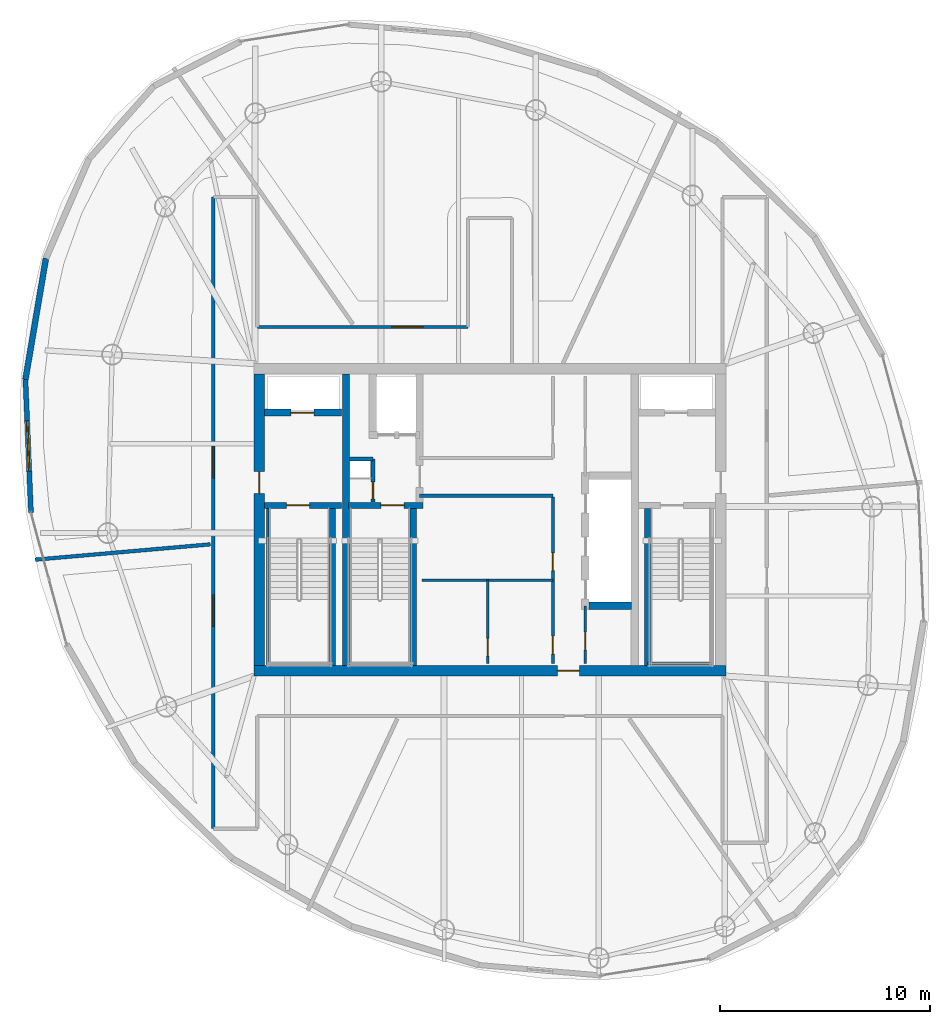
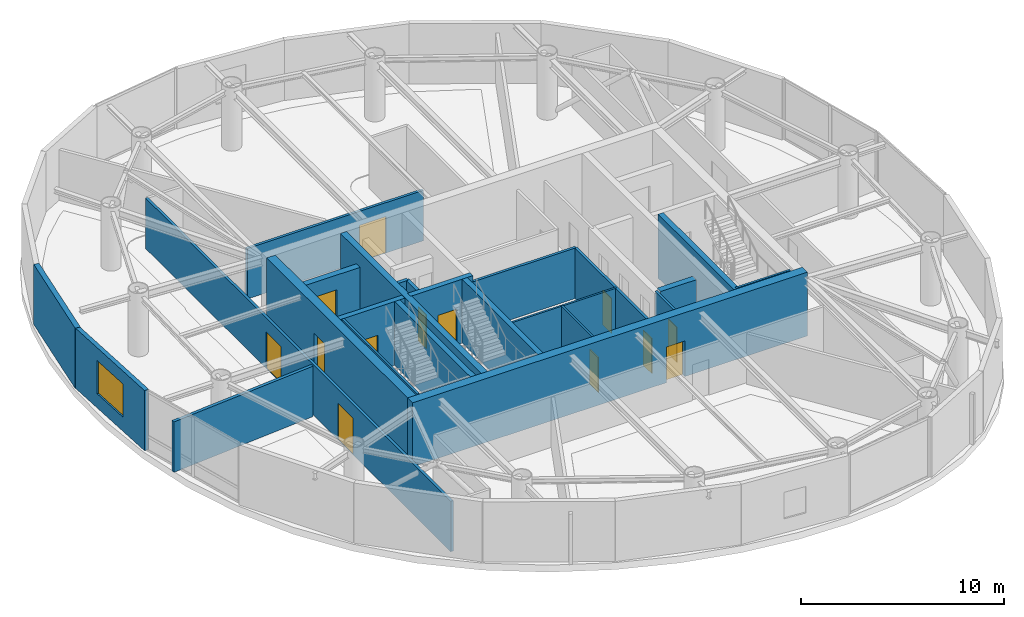
# One storey, part 14 of 20: 24 walls, 13 doors, 1 window, 14 openings.
"""IFC4 building model written with IfcOpenShell, lengths in metres."""

from ifc_helpers import new_model, si_unit, direction, frame, frame_2d, origin, place, context, subcontext, project, spatial, rectangle, extrude, material, layer, layer_set, type_object, element, fill, save


model = new_model("IFC4")

# Units and contexts
model_context = context("Model", 3, precision=1e-05, world=origin(), true_north=direction((0.0, 1.0)))
body_context = subcontext(model_context, "Body", "Model", "MODEL_VIEW")
ifc_project = project(units=[si_unit("LENGTHUNIT", "METRE"), si_unit("AREAUNIT", "SQUARE_METRE"), si_unit("VOLUMEUNIT", "CUBIC_METRE"), si_unit("PLANEANGLEUNIT", "RADIAN"), si_unit("MASSUNIT", "GRAM", prefix="KILO")], contexts=[model_context])

# Site, building, storey
site_placement = place(None, origin())
site = spatial("IfcSite", under=ifc_project, at=site_placement, CompositionType="ELEMENT")
building_placement = place(site_placement, origin())
building = spatial("IfcBuilding", under=site, at=building_placement, Name="Bramvorn Convention Spire", CompositionType="ELEMENT")
storey_placement = place(building_placement, frame((0.0, 0.0, 242.050048828125)))
storey = spatial("IfcBuildingStorey", under=building, at=storey_placement, Name="L61", CompositionType="ELEMENT", Elevation=242.050048828125)

# Wall, opening, door
ifc_material_1 = material(Name="Concrete C50/60", Category="concrete")
ifc_layer_1 = layer(ifc_material_1, 0.5)
ifc_layer_set_1 = layer_set([ifc_layer_1], Name="Concrete C50/60 - WL-CORE-500")
wall_type_1 = type_object("IfcWallType", Name="WL-CORE-500", PredefinedType="SHEAR", material=ifc_layer_set_1)
wall_1_placement = place(storey_placement, frame((26.75, 18.800048828125, 0.0), z_axis=(0.0, 0.0, 1.0), x_axis=(1.0, 0.0, 0.0)))
wall_1 = element("IfcWall", 1, at=wall_1_placement, inside=storey, type_object=wall_type_1, Name="L61 South RC core shear wall", PredefinedType="SHEAR", context=body_context, shape_type="SweptSolid", body=[
    extrude(rectangle(XDim=22.5, YDim=0.5, at=frame_2d((11.25, 0.0))), origin(), (0.0, 0.0, 1.0), 3.849853515625),
])
opening_1_placement = place(wall_1_placement, frame((14.469970703125, 0.0, 0.0)))
opening_1 = element("IfcOpeningElement", 2, at=opening_1_placement, cuts=wall_1, Name="Opening DL-105", PredefinedType="OPENING", context=body_context, shape_type="SweptSolid", body=[
    extrude(rectangle(XDim=1.050048828125, YDim=2.14990234375, at=frame_2d((0.52490234375, 1.074951171875))), frame((0.0, 0.260009765625, 0.0), z_axis=(0.0, -1.0, 0.0), x_axis=(1.0, 0.0, 0.0)), (0.0, 0.0, 1.0), 0.52001953125),
])
ifc_material_2 = material(Name="Smoke-Sealed Fire Lobby Timber-Core Door", Category="wood")
door_type_1 = type_object("IfcDoorType", Name="DR-LOBBY-1050", OperationType="NOTDEFINED", PredefinedType="DOOR", material=ifc_material_2)
door_1_placement = place(opening_1_placement, origin())
door_1 = element("IfcDoor", 3, at=door_1_placement, inside=storey, type_object=door_type_1, Name="L61 South Lift Lobby fire door", OperationType="SINGLE_SWING_RIGHT", OverallHeight=2.14990234375, OverallWidth=1.050048828125, PredefinedType="DOOR", context=body_context, shape_type="SweptSolid", body=[
    extrude(rectangle(XDim=1.050048828125, YDim=2.14990234375, at=frame_2d((0.52490234375, 1.074951171875))), frame((0.0, 0.02490234375, 0.0), z_axis=(0.0, -1.0, 0.0), x_axis=(1.0, 0.0, 0.0)), (0.0, 0.0, 1.0), 0.050048828125),
])
fill(opening_1, door_1)

wall_2_placement = place(storey_placement, frame((27.0, 19.050048828125, 0.0), z_axis=(0.0, 0.0, 1.0), x_axis=(0.0, 1.0, 0.0)))
wall_2 = element("IfcWall", 4, at=wall_2_placement, inside=storey, type_object=wall_type_1, Name="L61 West RC core shear wall", PredefinedType="SHEAR", context=body_context, shape_type="SweptSolid", body=[
    extrude(rectangle(XDim=13.89990234375, YDim=0.5, at=frame_2d((6.949951171875, 0.0))), origin(), (0.0, 0.0, 1.0), 3.849853515625),
])
opening_2_placement = place(wall_2_placement, frame((8.199951171875, 0.0, 0.0)))
opening_2 = element("IfcOpeningElement", 5, at=opening_2_placement, cuts=wall_2, Name="Opening DL-105", PredefinedType="OPENING", context=body_context, shape_type="SweptSolid", body=[
    extrude(rectangle(XDim=1.050048828125, YDim=2.14990234375, at=frame_2d((0.52490234375, 1.074951171875))), frame((0.0, 0.260009765625, 0.0), z_axis=(0.0, -1.0, 0.0), x_axis=(1.0, 0.0, 0.0)), (0.0, 0.0, 1.0), 0.52001953125),
])
door_2_placement = place(opening_2_placement, origin())
door_2 = element("IfcDoor", 6, at=door_2_placement, inside=storey, type_object=door_type_1, Name="L61 West Firefighting Lobby corridor door", OperationType="SINGLE_SWING_RIGHT", OverallHeight=2.14990234375, OverallWidth=1.050048828125, PredefinedType="DOOR", context=body_context, shape_type="SweptSolid", body=[
    extrude(rectangle(XDim=1.050048828125, YDim=2.14990234375, at=frame_2d((0.52490234375, 1.074951171875))), frame((0.0, 0.02490234375, 0.0), z_axis=(0.0, -1.0, 0.0), x_axis=(1.0, 0.0, 0.0)), (0.0, 0.0, 1.0), 0.050048828125),
])
fill(opening_2, door_2)

# Wall
ifc_layer_2 = layer(ifc_material_1, 0.35009765625)
ifc_layer_set_2 = layer_set([ifc_layer_2], Name="Concrete C50/60 - WL-CORE-INT-350")
wall_type_2 = type_object("IfcWallType", Name="WL-CORE-INT-350", PredefinedType="SHEAR", material=ifc_layer_set_2)
wall_3_placement = place(storey_placement, frame((31.1298828125, 19.050048828125, 0.0), z_axis=(0.0, 0.0, 1.0), x_axis=(0.0, 1.0, 0.0)))
element("IfcWall", 7, at=wall_3_placement, inside=storey, type_object=wall_type_2, Name="L61 West internal core shear web", PredefinedType="SHEAR", context=body_context, shape_type="SweptSolid", body=[
    extrude(rectangle(XDim=13.89990234375, YDim=0.35009765625, at=frame_2d((6.949951171875, 0.0))), origin(), (0.0, 0.0, 1.0), 3.849853515625),
])

# Wall, opening, door
wall_4_placement = place(storey_placement, frame((27.25, 31.1201171875, 0.0), z_axis=(0.0, 0.0, 1.0), x_axis=(1.0, 0.0, 0.0)))
wall_4 = element("IfcWall", 8, at=wall_4_placement, inside=storey, type_object=wall_type_2, Name="L61 FE1 shaft front wall", PredefinedType="SHEAR", context=body_context, shape_type="SweptSolid", body=[
    extrude(rectangle(XDim=3.669921875, YDim=0.35009765625, at=frame_2d((1.8349609375, 0.0))), origin(), (0.0, 0.0, 1.0), 3.0400390625),
])
opening_3_placement = place(wall_4_placement, frame((1.25, 0.0, 0.0)))
opening_3 = element("IfcOpeningElement", 9, at=opening_3_placement, cuts=wall_4, Name="Opening LD-110", PredefinedType="OPENING", context=body_context, shape_type="SweptSolid", body=[
    extrude(rectangle(XDim=1.10009765625, YDim=2.14990234375, at=frame_2d((0.550048828125, 1.074951171875))), frame((0.0, 0.18505859375, 0.0), z_axis=(0.0, -1.0, 0.0), x_axis=(1.0, 0.0, 0.0)), (0.0, 0.0, 1.0), 0.3701171875),
])
ifc_material_3 = material(Name="Firefighting & Service Lift Sliding Landing Door", Category="steel")
door_type_2 = type_object("IfcDoorType", Name="DR-LIFT-LD-1100", OperationType="NOTDEFINED", PredefinedType="DOOR", material=ifc_material_3)
door_3_placement = place(opening_3_placement, origin())
door_3 = element("IfcDoor", 10, at=door_3_placement, inside=storey, type_object=door_type_2, Name="L61 Lift FE1 Sliding Landing Door", OperationType="SLIDING_TO_LEFT", OverallHeight=2.14990234375, OverallWidth=1.10009765625, PredefinedType="DOOR", context=body_context, shape_type="SweptSolid", body=[
    extrude(rectangle(XDim=1.10009765625, YDim=2.14990234375, at=frame_2d((0.550048828125, 1.074951171875))), frame((0.0, 0.02490234375, 0.0), z_axis=(0.0, -1.0, 0.0), x_axis=(1.0, 0.0, 0.0)), (0.0, 0.0, 1.0), 0.050048828125),
])
fill(opening_3, door_3)

# Walls
wall_5_placement = place(storey_placement, frame((42.719970703125, 21.89990234375, 0.0), z_axis=(0.0, 0.0, 1.0), x_axis=(1.0, 0.0, 0.0)))
element("IfcWall", 11, at=wall_5_placement, inside=storey, type_object=wall_type_2, Name="L61 High-rise lift bank south wall", PredefinedType="SHEAR", context=body_context, shape_type="SweptSolid", body=[
    extrude(rectangle(XDim=2.030029296875, YDim=0.35009765625, at=frame_2d((1.01513671875, 0.0))), origin(), (0.0, 0.0, 1.0), 3.0400390625),
])
ifc_material_4 = material(Name="Precast Concrete C40/50 with Bronze Terracotta Rainscreen", Category="masonry")
ifc_layer_3 = layer(ifc_material_4, 0.300048828125)
ifc_layer_set_3 = layer_set([ifc_layer_3], Name="Precast Concrete C40/50 with Bronze Terracotta Rainscreen - WL-EXT-BRONZE-300")
wall_type_3 = type_object("IfcWallType", Name="WL-EXT-BRONZE-300", PredefinedType="SOLIDWALL", material=ifc_layer_set_3)
wall_6_placement = place(storey_placement, frame((15.839599609375, 32.69873046875, 0.0), z_axis=(0.0, 0.0, 1.0), x_axis=(0.166898182557, 0.985974135898, 0.0)))
element("IfcWall", 12, at=wall_6_placement, inside=storey, type_object=wall_type_3, Name="L61 expressed bronze Gothic lancet pier wall 15", PredefinedType="SOLIDWALL", context=body_context, shape_type="SweptSolid", body=[
    extrude(rectangle(XDim=5.860107421875, YDim=0.280029296875, at=frame_2d((2.93017578125, 0.0))), origin(), (0.0, 0.0, 1.0), 3.625),
])

# Wall, opening, window
wall_7_placement = place(storey_placement, frame((16.102294921875, 26.35888671875, 0.0), z_axis=(0.0, 0.0, 1.0), x_axis=(-0.041400088191, 0.999142648823, 0.0)))
wall_7 = element("IfcWall", 13, at=wall_7_placement, inside=storey, type_object=wall_type_3, Name="L61 bronze ceramic-frit spandrel & operable window bay 16", PredefinedType="SOLIDWALL", context=body_context, shape_type="SweptSolid", body=[
    extrude(rectangle(XDim=6.34521484375, YDim=0.239990234375, at=frame_2d((3.172607421875, 0.0))), origin(), (0.0, 0.0, 1.0), 3.625),
])
opening_4_placement = place(wall_7_placement, frame((1.97265625, 0.0, 0.85009765625)))
opening_4 = element("IfcOpeningElement", 14, at=opening_4_placement, cuts=wall_7, Name="Opening WN05", PredefinedType="OPENING", context=body_context, shape_type="SweptSolid", body=[
    extrude(rectangle(XDim=2.39990234375, YDim=2.0, at=frame_2d((1.199951171875, 1.0))), frame((0.0, 0.1298828125, 0.0), z_axis=(0.0, -1.0, 0.0), x_axis=(1.0, 0.0, 0.0)), (0.0, 0.0, 1.0), 0.260009765625),
])
ifc_material_5 = material(Name="Thermally Broken Bronze Aluminium & Triple Low-E Glass", Category="aluminium")
window_type = type_object("IfcWindowType", Name="WN-OP-2400X2000", PartitioningType="SINGLE_PANEL", PredefinedType="WINDOW", material=ifc_material_5)
window_placement = place(opening_4_placement, origin())
window = element("IfcWindow", 15, at=window_placement, inside=storey, type_object=window_type, Name="L61 operable parallel-vent window 16", OverallHeight=2.0, OverallWidth=2.39990234375, PartitioningType="SINGLE_PANEL", PredefinedType="WINDOW", context=body_context, shape_type="SweptSolid", body=[
    extrude(rectangle(XDim=2.39990234375, YDim=2.0, at=frame_2d((1.199951171875, 1.0))), frame((0.0, 0.030029296875, 0.0), z_axis=(0.0, -1.0, 0.0), x_axis=(1.0, 0.0, 0.0)), (0.0, 0.0, 1.0), 0.06005859375),
])
fill(opening_4, window)

# Wall
ifc_material_6 = material(Name="Lightweight En-Suite & Wet-Wall Partition", Category="gypsum")
ifc_layer_4 = layer(ifc_material_6, 0.110107421875)
ifc_layer_set_4 = layer_set([ifc_layer_4], Name="Lightweight En-Suite & Wet-Wall Partition - WL-PART-110")
wall_type_4 = type_object("IfcWallType", Name="WL-PART-110", PredefinedType="PARTITIONING", material=ifc_layer_set_4)
wall_8_placement = place(storey_placement, frame((34.75, 23.125, 0.0), z_axis=(0.0, 0.0, 1.0), x_axis=(1.0, 0.0, 0.0)))
element("IfcWall", 16, at=wall_8_placement, inside=storey, type_object=wall_type_4, Name="L61 KA horizontal core divider", PredefinedType="PARTITIONING", context=body_context, shape_type="SweptSolid", body=[
    extrude(rectangle(XDim=6.25, YDim=0.110107421875, at=frame_2d((3.125, 0.0))), origin(), (0.0, 0.0, 1.0), 3.0400390625),
])

# Wall, opening, door
wall_9_placement = place(storey_placement, frame((37.89990234375, 19.14990234375, 0.0), z_axis=(0.0, 0.0, 1.0), x_axis=(0.0, 1.0, 0.0)))
wall_9 = element("IfcWall", 17, at=wall_9_placement, inside=storey, type_object=wall_type_4, Name="L61 KA restroom subwall", PredefinedType="PARTITIONING", context=body_context, shape_type="SweptSolid", body=[
    extrude(rectangle(XDim=3.97509765625, YDim=0.110107421875, at=frame_2d((1.987548828125, 0.0))), origin(), (0.0, 0.0, 1.0), 3.0400390625),
])
opening_5_placement = place(wall_9_placement, frame((0.35009765625, 0.0, 0.0)))
opening_5 = element("IfcOpeningElement", 18, at=opening_5_placement, cuts=wall_9, Name="Opening DC-085", PredefinedType="OPENING", context=body_context, shape_type="SweptSolid", body=[
    extrude(rectangle(XDim=0.85009765625, YDim=2.10009765625, at=frame_2d((0.425048828125, 1.050048828125))), frame((0.0, 0.06494140625, 0.0), z_axis=(0.0, -1.0, 0.0), x_axis=(1.0, 0.0, 0.0)), (0.0, 0.0, 1.0), 0.130126953125),
])
ifc_material_7 = material(Name="Fire-Rated Core Washroom & IDF Door", Category="wood")
door_type_3 = type_object("IfcDoorType", Name="DR-CORE-850", OperationType="NOTDEFINED", PredefinedType="DOOR", material=ifc_material_7)
door_4_placement = place(opening_5_placement, origin())
door_4 = element("IfcDoor", 19, at=door_4_placement, inside=storey, type_object=door_type_3, Name="L61 Core IT Closet door", OperationType="SINGLE_SWING_LEFT", OverallHeight=2.10009765625, OverallWidth=0.85009765625, PredefinedType="DOOR", context=body_context, shape_type="SweptSolid", body=[
    extrude(rectangle(XDim=0.85009765625, YDim=2.10009765625, at=frame_2d((0.425048828125, 1.050048828125))), frame((0.0, 0.02490234375, 0.0), z_axis=(0.0, -1.0, 0.0), x_axis=(1.0, 0.0, 0.0)), (0.0, 0.0, 1.0), 0.050048828125),
])
fill(opening_5, door_4)

ifc_material_8 = material(Name="Metal-Stud Demountable Office Partition", Category="gypsum")
ifc_layer_5 = layer(ifc_material_8, 0.1298828125)
ifc_layer_set_5 = layer_set([ifc_layer_5], Name="Metal-Stud Demountable Office Partition - WL-PART-130")
wall_type_5 = type_object("IfcWallType", Name="WL-PART-130", PredefinedType="PARTITIONING", material=ifc_layer_set_5)
wall_10_placement = place(storey_placement, frame((42.550048828125, 19.14990234375, 0.0), z_axis=(0.0, 0.0, 1.0), x_axis=(0.0, 1.0, 0.0)))
wall_10 = element("IfcWall", 20, at=wall_10_placement, inside=storey, type_object=wall_type_5, Name="L61 KA SE store wall", PredefinedType="PARTITIONING", context=body_context, shape_type="SweptSolid", body=[
    extrude(rectangle(XDim=2.75, YDim=0.1298828125, at=frame_2d((1.375, 0.0))), origin(), (0.0, 0.0, 1.0), 3.0400390625),
])
opening_6_placement = place(wall_10_placement, frame((0.64990234375, 0.0, 0.0)))
opening_6 = element("IfcOpeningElement", 21, at=opening_6_placement, cuts=wall_10, Name="Opening DC-085", PredefinedType="OPENING", context=body_context, shape_type="SweptSolid", body=[
    extrude(rectangle(XDim=0.85009765625, YDim=2.10009765625, at=frame_2d((0.425048828125, 1.050048828125))), frame((0.0, 0.074951171875, 0.0), z_axis=(0.0, -1.0, 0.0), x_axis=(1.0, 0.0, 0.0)), (0.0, 0.0, 1.0), 0.14990234375),
])
door_5_placement = place(opening_6_placement, origin())
door_5 = element("IfcDoor", 22, at=door_5_placement, inside=storey, type_object=door_type_3, Name="L61 Tenant Pantry & Copy Centre door", OperationType="SINGLE_SWING_LEFT", OverallHeight=2.10009765625, OverallWidth=0.85009765625, PredefinedType="DOOR", context=body_context, shape_type="SweptSolid", body=[
    extrude(rectangle(XDim=0.85009765625, YDim=2.10009765625, at=frame_2d((0.425048828125, 1.050048828125))), frame((0.0, 0.02490234375, 0.0), z_axis=(0.0, -1.0, 0.0), x_axis=(1.0, 0.0, 0.0)), (0.0, 0.0, 1.0), 0.050048828125),
])
fill(opening_6, door_5)

# Wall
ifc_material_9 = material(Name="Acoustic Metal-Stud Tenant/Corridor Partition", Category="gypsum")
ifc_layer_6 = layer(ifc_material_9, 0.14990234375)
ifc_layer_set_6 = layer_set([ifc_layer_6], Name="Acoustic Metal-Stud Tenant/Corridor Partition - WL-PART-150")
wall_type_6 = type_object("IfcWallType", Name="WL-PART-150", PredefinedType="PARTITIONING", material=ifc_layer_set_6)
wall_11_placement = place(storey_placement, frame((34.639892578125, 27.14990234375, 0.0), z_axis=(0.0, 0.0, 1.0), x_axis=(1.0, 0.0, 0.0)))
element("IfcWall", 23, at=wall_11_placement, inside=storey, type_object=wall_type_6, Name="L61 Cross-core passage south wall", PredefinedType="PARTITIONING", context=body_context, shape_type="SweptSolid", body=[
    extrude(rectangle(XDim=6.360107421875, YDim=0.14990234375, at=frame_2d((3.18017578125, 0.0))), origin(), (0.0, 0.0, 1.0), 3.0400390625),
])

# Wall, openings, doors
wall_12_placement = place(storey_placement, frame((41.0, 19.14990234375, 0.0), z_axis=(0.0, 0.0, 1.0), x_axis=(0.0, 1.0, 0.0)))
wall_12 = element("IfcWall", 24, at=wall_12_placement, inside=storey, type_object=wall_type_6, Name="L61 KA east core wall", PredefinedType="PARTITIONING", context=body_context, shape_type="SweptSolid", body=[
    extrude(rectangle(XDim=7.9501953125, YDim=0.14990234375, at=frame_2d((3.97509765625, 0.0))), origin(), (0.0, 0.0, 1.0), 3.0400390625),
])
opening_7_placement = place(wall_12_placement, frame((4.425048828125, 0.0, 0.0)))
opening_7 = element("IfcOpeningElement", 25, at=opening_7_placement, cuts=wall_12, Name="Opening DC-085", PredefinedType="OPENING", context=body_context, shape_type="SweptSolid", body=[
    extrude(rectangle(XDim=0.85009765625, YDim=2.10009765625, at=frame_2d((0.425048828125, 1.050048828125))), frame((0.0, 0.0849609375, 0.0), z_axis=(0.0, -1.0, 0.0), x_axis=(1.0, 0.0, 0.0)), (0.0, 0.0, 1.0), 0.169921875),
])
opening_8_placement = place(wall_12_placement, frame((0.449951171875, 0.0, 0.0)))
opening_8 = element("IfcOpeningElement", 26, at=opening_8_placement, cuts=wall_12, Name="Opening DC-085", PredefinedType="OPENING", context=body_context, shape_type="SweptSolid", body=[
    extrude(rectangle(XDim=0.85009765625, YDim=2.10009765625, at=frame_2d((0.425048828125, 1.050048828125))), frame((0.0, 0.0849609375, 0.0), z_axis=(0.0, -1.0, 0.0), x_axis=(1.0, 0.0, 0.0)), (0.0, 0.0, 1.0), 0.169921875),
])
door_6_placement = place(opening_7_placement, origin())
door_6 = element("IfcDoor", 27, at=door_6_placement, inside=storey, type_object=door_type_3, Name="L61 Core Linen & Equipment Store door", OperationType="SINGLE_SWING_LEFT", OverallHeight=2.10009765625, OverallWidth=0.85009765625, PredefinedType="DOOR", context=body_context, shape_type="SweptSolid", body=[
    extrude(rectangle(XDim=0.85009765625, YDim=2.10009765625, at=frame_2d((0.425048828125, 1.050048828125))), frame((0.0, 0.02490234375, 0.0), z_axis=(0.0, -1.0, 0.0), x_axis=(1.0, 0.0, 0.0)), (0.0, 0.0, 1.0), 0.050048828125),
])
fill(opening_7, door_6)
door_7_placement = place(opening_8_placement, origin())
door_7 = element("IfcDoor", 28, at=door_7_placement, inside=storey, type_object=door_type_3, Name="L61 Accessible Core Restroom door", OperationType="SINGLE_SWING_LEFT", OverallHeight=2.10009765625, OverallWidth=0.85009765625, PredefinedType="DOOR", context=body_context, shape_type="SweptSolid", body=[
    extrude(rectangle(XDim=0.85009765625, YDim=2.10009765625, at=frame_2d((0.425048828125, 1.050048828125))), frame((0.0, 0.02490234375, 0.0), z_axis=(0.0, -1.0, 0.0), x_axis=(1.0, 0.0, 0.0)), (0.0, 0.0, 1.0), 0.050048828125),
])
fill(opening_8, door_7)

# Wall, opening, door
wall_13_placement = place(storey_placement, frame((26.89990234375, 35.199951171875, 0.0), z_axis=(0.0, 0.0, 1.0), x_axis=(1.0, 0.0, 0.0)))
wall_13 = element("IfcWall", 29, at=wall_13_placement, inside=storey, type_object=wall_type_6, Name="L61 North-west spur link wall", PredefinedType="PARTITIONING", context=body_context, shape_type="SweptSolid", body=[
    extrude(rectangle(XDim=10.050048828125, YDim=0.14990234375, at=frame_2d((5.02490234375, 0.0))), origin(), (0.0, 0.0, 1.0), 3.0400390625),
])
opening_9_placement = place(wall_13_placement, frame((6.40869140625, 0.0, 0.0)))
opening_9 = element("IfcOpeningElement", 30, at=opening_9_placement, cuts=wall_13, Name="Opening DC-150", PredefinedType="OPENING", context=body_context, shape_type="SweptSolid", body=[
    extrude(rectangle(XDim=1.5, YDim=2.199951171875, at=frame_2d((0.75, 1.10009765625))), frame((0.0, 0.0849609375, 0.0), z_axis=(0.0, -1.0, 0.0), x_axis=(1.0, 0.0, 0.0)), (0.0, 0.0, 1.0), 0.169921875),
])
ifc_material_10 = material(Name="Double-Leaf Smoke-Control Corridor Door", Category="wood")
door_type_4 = type_object("IfcDoorType", Name="DR-COR-1500", OperationType="NOTDEFINED", PredefinedType="DOOR", material=ifc_material_10)
door_8_placement = place(opening_9_placement, origin())
door_8 = element("IfcDoor", 31, at=door_8_placement, inside=storey, type_object=door_type_4, Name="L61 Open-Plan Engineering Office B 2 door", OperationType="DOUBLE_DOOR_SINGLE_SWING", OverallHeight=2.199951171875, OverallWidth=1.5, PredefinedType="DOOR", context=body_context, shape_type="SweptSolid", body=[
    extrude(rectangle(XDim=1.5, YDim=2.199951171875, at=frame_2d((0.75, 1.10009765625))), frame((0.0, 0.02490234375, 0.0), z_axis=(0.0, -1.0, 0.0), x_axis=(1.0, 0.0, 0.0)), (0.0, 0.0, 1.0), 0.050048828125),
])
fill(opening_9, door_8)

# Wall, openings, doors
wall_14_placement = place(storey_placement, frame((24.800048828125, 11.267578125, 0.0), z_axis=(0.0, 0.0, 1.0), x_axis=(0.0, 1.0, 0.0)))
wall_14 = element("IfcWall", 32, at=wall_14_placement, inside=storey, type_object=wall_type_6, Name="L61 West N-S gallery outer wall", PredefinedType="PARTITIONING", context=body_context, shape_type="SweptSolid", body=[
    extrude(rectangle(XDim=30.13232421875, YDim=0.14990234375, at=frame_2d((15.066162109375, 0.0))), origin(), (0.0, 0.0, 1.0), 3.0400390625),
])
opening_10_placement = place(wall_14_placement, frame((16.736083984375, 0.0, 0.0)))
opening_10 = element("IfcOpeningElement", 33, at=opening_10_placement, cuts=wall_14, Name="Opening DC-150", PredefinedType="OPENING", context=body_context, shape_type="SweptSolid", body=[
    extrude(rectangle(XDim=1.5, YDim=2.199951171875, at=frame_2d((0.75, 1.10009765625))), frame((0.0, 0.0849609375, 0.0), z_axis=(0.0, -1.0, 0.0), x_axis=(1.0, 0.0, 0.0)), (0.0, 0.0, 1.0), 0.169921875),
])
opening_11_placement = place(wall_14_placement, frame((9.647705078125, 0.0, 0.0)))
opening_11 = element("IfcOpeningElement", 34, at=opening_11_placement, cuts=wall_14, Name="Opening DC-150", PredefinedType="OPENING", context=body_context, shape_type="SweptSolid", body=[
    extrude(rectangle(XDim=1.5, YDim=2.199951171875, at=frame_2d((0.75, 1.10009765625))), frame((0.0, 0.0849609375, 0.0), z_axis=(0.0, -1.0, 0.0), x_axis=(1.0, 0.0, 0.0)), (0.0, 0.0, 1.0), 0.169921875),
])
door_9_placement = place(opening_10_placement, origin())
door_9 = element("IfcDoor", 35, at=door_9_placement, inside=storey, type_object=door_type_4, Name="L61 Open-Plan Digital Office C 3 door", OperationType="DOUBLE_DOOR_SINGLE_SWING", OverallHeight=2.199951171875, OverallWidth=1.5, PredefinedType="DOOR", context=body_context, shape_type="SweptSolid", body=[
    extrude(rectangle(XDim=1.5, YDim=2.199951171875, at=frame_2d((0.75, 1.10009765625))), frame((0.0, 0.02490234375, 0.0), z_axis=(0.0, -1.0, 0.0), x_axis=(1.0, 0.0, 0.0)), (0.0, 0.0, 1.0), 0.050048828125),
])
fill(opening_10, door_9)
door_10_placement = place(opening_11_placement, origin())
door_10 = element("IfcDoor", 36, at=door_10_placement, inside=storey, type_object=door_type_4, Name="L61 Open-Plan Design Office D 4 door", OperationType="DOUBLE_DOOR_SINGLE_SWING", OverallHeight=2.199951171875, OverallWidth=1.5, PredefinedType="DOOR", context=body_context, shape_type="SweptSolid", body=[
    extrude(rectangle(XDim=1.5, YDim=2.199951171875, at=frame_2d((0.75, 1.10009765625))), frame((0.0, 0.02490234375, 0.0), z_axis=(0.0, -1.0, 0.0), x_axis=(1.0, 0.0, 0.0)), (0.0, 0.0, 1.0), 0.050048828125),
])
fill(opening_11, door_10)

# Wall
ifc_material_11 = material(Name="Double-Stud Acoustic Hotel/Suite Partition", Category="gypsum")
ifc_layer_7 = layer(ifc_material_11, 0.175048828125)
ifc_layer_set_7 = layer_set([ifc_layer_7], Name="Double-Stud Acoustic Hotel/Suite Partition - WL-PART-175")
wall_type_7 = type_object("IfcWallType", Name="WL-PART-175", PredefinedType="PARTITIONING", material=ifc_layer_set_7)
wall_15_placement = place(storey_placement, frame((24.659912109375, 24.8330078125, 0.0), z_axis=(0.0, 0.0, 1.0), x_axis=(-0.996192927603, -0.087175977156, 0.0)))
element("IfcWall", 37, at=wall_15_placement, inside=storey, type_object=wall_type_7, Name="L61 Tenant suite partition 4", PredefinedType="PARTITIONING", context=body_context, shape_type="SweptSolid", body=[
    extrude(rectangle(XDim=8.3876953125, YDim=0.175048828125, at=frame_2d((4.19384765625, 0.0))), origin(), (0.0, 0.0, 1.0), 3.0400390625),
])

# Wall, opening, door
ifc_material_12 = material(Name="Gypsum Shaftwall & Rockwool Core Partition", Category="gypsum")
ifc_layer_8 = layer(ifc_material_12, 0.199951171875)
ifc_layer_set_8 = layer_set([ifc_layer_8], Name="Gypsum Shaftwall & Rockwool Core Partition - WL-PART-200-FR")
wall_type_8 = type_object("IfcWallType", Name="WL-PART-200-FR", PredefinedType="PARTITIONING", material=ifc_layer_set_8)
wall_16_placement = place(storey_placement, frame((32.419921875, 26.860107421875, 0.0), z_axis=(0.0, 0.0, 1.0), x_axis=(0.0, 1.0, 0.0)))
wall_16 = element("IfcWall", 38, at=wall_16_placement, inside=storey, type_object=wall_type_8, Name="L61 Telecom riser east wall", PredefinedType="PARTITIONING", context=body_context, shape_type="SweptSolid", body=[
    extrude(rectangle(XDim=2.039794921875, YDim=0.199951171875, at=frame_2d((1.02001953125, 0.0))), origin(), (0.0, 0.0, 1.0), 3.0400390625),
])
opening_12_placement = place(wall_16_placement, frame((0.139892578125, 0.0, 0.0)))
opening_12 = element("IfcOpeningElement", 39, at=opening_12_placement, cuts=wall_16, Name="Opening DR-080", PredefinedType="OPENING", context=body_context, shape_type="SweptSolid", body=[
    extrude(rectangle(XDim=0.800048828125, YDim=2.050048828125, at=frame_2d((0.39990234375, 1.02490234375))), frame((0.0, 0.10986328125, 0.0), z_axis=(0.0, -1.0, 0.0), x_axis=(1.0, 0.0, 0.0)), (0.0, 0.0, 1.0), 0.219970703125),
])
ifc_material_13 = material(Name="Flush Steel Riser Access Door", Category="steel")
door_type_5 = type_object("IfcDoorType", Name="DR-RISER-800", OperationType="NOTDEFINED", PredefinedType="DOOR", material=ifc_material_13)
door_11_placement = place(opening_12_placement, origin())
door_11 = element("IfcDoor", 40, at=door_11_placement, inside=storey, type_object=door_type_5, Name="L61 Telecom riser access door", OperationType="SINGLE_SWING_RIGHT", OverallHeight=2.050048828125, OverallWidth=0.800048828125, PredefinedType="DOOR", context=body_context, shape_type="SweptSolid", body=[
    extrude(rectangle(XDim=0.800048828125, YDim=2.050048828125, at=frame_2d((0.39990234375, 1.02490234375))), frame((0.0, 0.02490234375, 0.0), z_axis=(0.0, -1.0, 0.0), x_axis=(1.0, 0.0, 0.0)), (0.0, 0.0, 1.0), 0.050048828125),
])
fill(opening_12, door_11)

# Wall
wall_17_placement = place(storey_placement, frame((31.300048828125, 28.89990234375, 0.0), z_axis=(0.0, 0.0, 1.0), x_axis=(1.0, 0.0, 0.0)))
element("IfcWall", 41, at=wall_17_placement, inside=storey, type_object=wall_type_8, Name="L61 Telecom riser north wall", PredefinedType="PARTITIONING", context=body_context, shape_type="SweptSolid", body=[
    extrude(rectangle(XDim=1.119873046875, YDim=0.199951171875, at=frame_2d((0.56005859375, 0.0))), origin(), (0.0, 0.0, 1.0), 3.0400390625),
])

# Wall, opening, door
ifc_layer_9 = layer(ifc_material_1, 0.300048828125)
ifc_layer_set_9 = layer_set([ifc_layer_9], Name="Concrete C50/60 - WL-POD-STAIR-300")
wall_type_9 = type_object("IfcWallType", Name="WL-POD-STAIR-300", PredefinedType="SHEAR", material=ifc_layer_set_9)
wall_18_placement = place(storey_placement, frame((27.25, 26.68994140625, 0.0), z_axis=(0.0, 0.0, 1.0), x_axis=(1.0, 0.0, 0.0)))
wall_18 = element("IfcWall", 42, at=wall_18_placement, inside=storey, type_object=wall_type_9, Name="L61 ST1 north fire wall", PredefinedType="SHEAR", context=body_context, shape_type="SweptSolid", body=[
    extrude(rectangle(XDim=3.669921875, YDim=0.300048828125, at=frame_2d((1.8349609375, 0.0))), origin(), (0.0, 0.0, 1.0), 3.849853515625),
])
opening_13_placement = place(wall_18_placement, frame((1.050048828125, 0.0, 0.0)))
opening_13 = element("IfcOpeningElement", 43, at=opening_13_placement, cuts=wall_18, Name="Opening DS-110", PredefinedType="OPENING", context=body_context, shape_type="SweptSolid", body=[
    extrude(rectangle(XDim=1.10009765625, YDim=2.14990234375, at=frame_2d((0.550048828125, 1.074951171875))), frame((0.0, 0.159912109375, 0.0), z_axis=(0.0, -1.0, 0.0), x_axis=(1.0, 0.0, 0.0)), (0.0, 0.0, 1.0), 0.320068359375),
])
ifc_material_14 = material(Name="Fire-Rated Hollow Steel Stairwell Door", Category="steel")
door_type_6 = type_object("IfcDoorType", Name="DR-STAIR-1100", OperationType="NOTDEFINED", PredefinedType="DOOR", material=ifc_material_14)
door_12_placement = place(opening_13_placement, origin())
door_12 = element("IfcDoor", 44, at=door_12_placement, inside=storey, type_object=door_type_6, Name="L61 Stair ST1 fire door", OperationType="SINGLE_SWING_LEFT", OverallHeight=2.14990234375, OverallWidth=1.10009765625, PredefinedType="DOOR", context=body_context, shape_type="SweptSolid", body=[
    extrude(rectangle(XDim=1.10009765625, YDim=2.14990234375, at=frame_2d((0.550048828125, 1.074951171875))), frame((0.0, 0.02490234375, 0.0), z_axis=(0.0, -1.0, 0.0), x_axis=(1.0, 0.0, 0.0)), (0.0, 0.0, 1.0), 0.050048828125),
])
fill(opening_13, door_12)

# Walls
for number, where, z_axis, x_axis, name in (
    (45, (30.489990234375, 19.050048828125, 0.0), (0.0, 0.0, 1.0), (0.0, 1.0, 0.0), "L61 ST1 east bearing wall"),
    (46, (45.510009765625, 19.050048828125, 0.0), (0.0, 0.0, 1.0), (0.0, 1.0, 0.0), "L61 ST2 west bearing wall"),
    (47, (34.340087890625, 19.050048828125, 0.0), (0.0, 0.0, 1.0), (0.0, 1.0, 0.0), "L61 ST3 east bearing wall"),
):
    element("IfcWall", number, at=place(storey_placement, frame(where, z_axis=z_axis, x_axis=x_axis)), inside=storey, type_object=wall_type_9, Name=name, PredefinedType="SHEAR", context=body_context, shape_type="SweptSolid", body=[
        extrude(rectangle(XDim=7.5, YDim=0.300048828125, at=frame_2d((3.75, 0.0))), origin(), (0.0, 0.0, 1.0), 3.849853515625),
    ])

# Wall, opening, door
wall_19_placement = place(storey_placement, frame((31.25, 26.68994140625, 0.0), z_axis=(0.0, 0.0, 1.0), x_axis=(1.0, 0.0, 0.0)))
wall_19 = element("IfcWall", 48, at=wall_19_placement, inside=storey, type_object=wall_type_9, Name="L61 ST3 north lobby wall", PredefinedType="SHEAR", context=body_context, shape_type="SweptSolid", body=[
    extrude(rectangle(XDim=3.56005859375, YDim=0.300048828125, at=frame_2d((1.780029296875, 0.0))), origin(), (0.0, 0.0, 1.0), 3.849853515625),
])
opening_14_placement = place(wall_19_placement, frame((1.550048828125, 0.0, 0.0)))
opening_14 = element("IfcOpeningElement", 49, at=opening_14_placement, cuts=wall_19, Name="Opening DS-110", PredefinedType="OPENING", context=body_context, shape_type="SweptSolid", body=[
    extrude(rectangle(XDim=1.10009765625, YDim=2.14990234375, at=frame_2d((0.550048828125, 1.074951171875))), frame((0.0, 0.159912109375, 0.0), z_axis=(0.0, -1.0, 0.0), x_axis=(1.0, 0.0, 0.0)), (0.0, 0.0, 1.0), 0.320068359375),
])
door_13_placement = place(opening_14_placement, origin())
door_13 = element("IfcDoor", 50, at=door_13_placement, inside=storey, type_object=door_type_6, Name="L61 Stair ST3 fire door", OperationType="SINGLE_SWING_LEFT", OverallHeight=2.14990234375, OverallWidth=1.10009765625, PredefinedType="DOOR", context=body_context, shape_type="SweptSolid", body=[
    extrude(rectangle(XDim=1.10009765625, YDim=2.14990234375, at=frame_2d((0.550048828125, 1.074951171875))), frame((0.0, 0.02490234375, 0.0), z_axis=(0.0, -1.0, 0.0), x_axis=(1.0, 0.0, 0.0)), (0.0, 0.0, 1.0), 0.050048828125),
])
fill(opening_14, door_13)

# Walls
ifc_layer_10 = layer(ifc_material_1, 0.1201171875)
ifc_layer_set_10 = layer_set([ifc_layer_10], Name="Concrete C50/60 - WL-STAIR-RC-120")
wall_type_10 = type_object("IfcWallType", Name="WL-STAIR-RC-120", PredefinedType="SHEAR", material=ifc_layer_set_10)
wall_20_placement = place(storey_placement, frame((27.39501953125, 19.10009765625, 0.0), z_axis=(0.0, 0.0, 1.0), x_axis=(0.0, 1.0, 0.0)))
element("IfcWall", 51, at=wall_20_placement, inside=storey, type_object=wall_type_10, Name="L61 ST1 west bearing shear wall", PredefinedType="SHEAR", context=body_context, shape_type="SweptSolid", body=[
    extrude(rectangle(XDim=7.449951171875, YDim=0.1201171875, at=frame_2d((3.72509765625, 0.0))), origin(), (0.0, 0.0, 1.0), 3.849853515625),
])
wall_21_placement = place(storey_placement, frame((45.510009765625, 19.159912109375, 0.0), z_axis=(0.0, 0.0, 1.0), x_axis=(1.0, 0.0, 0.0)))
element("IfcWall", 52, at=wall_21_placement, inside=storey, type_object=wall_type_10, Name="L61 ST2 south bearing shear wall", PredefinedType="SHEAR", context=body_context, shape_type="SweptSolid", body=[
    extrude(rectangle(XDim=3.094970703125, YDim=0.1201171875, at=frame_2d((1.54736328125, 0.0))), origin(), (0.0, 0.0, 1.0), 3.849853515625),
])

save(model, "model.ifc")
